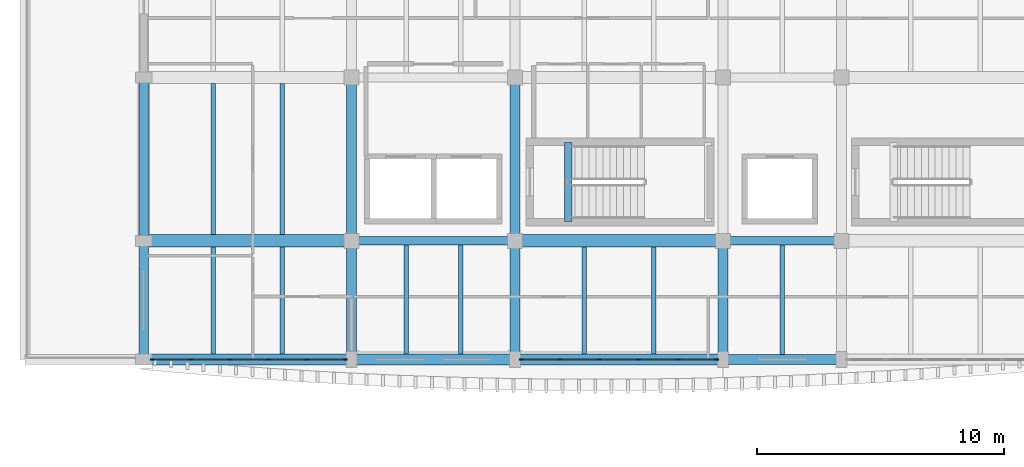
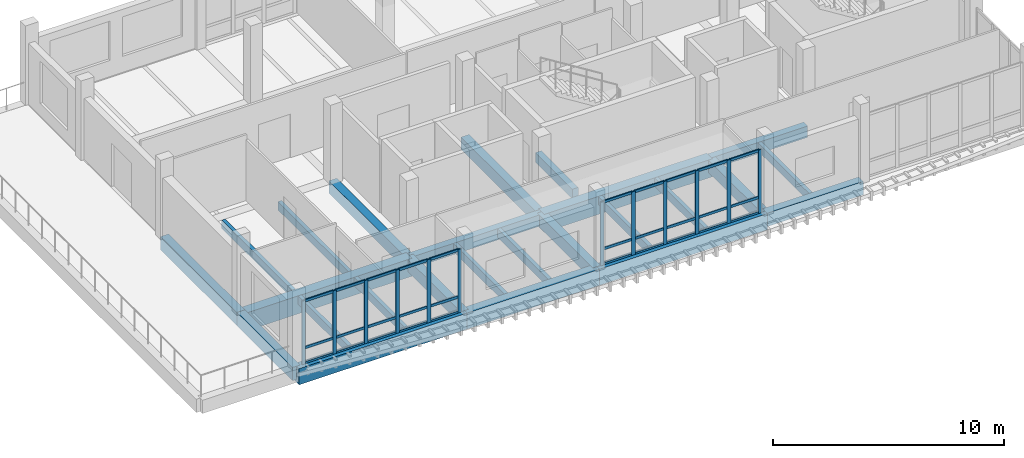
# One storey, part 2 of 20: 42 members, 25 beams, 2 elements without a shape of their own.
"""IFC4 building model written with IfcOpenShell, lengths in metres."""

from ifc_helpers import new_model, si_unit, direction, frame, origin, origin_2d, place, context, subcontext, project, spatial, rectangle, extrude, material, material_profile, profile_set, type_object, element, aggregate, save


model = new_model("IFC4")

# Units and contexts
model_context = context("Model", 3, precision=1e-05, world=origin(), true_north=direction((0.0, 1.0)))
body_context = subcontext(model_context, "Body", "Model", "MODEL_VIEW")
ifc_project = project(units=[si_unit("LENGTHUNIT", "METRE"), si_unit("AREAUNIT", "SQUARE_METRE"), si_unit("VOLUMEUNIT", "CUBIC_METRE"), si_unit("PLANEANGLEUNIT", "RADIAN"), si_unit("MASSUNIT", "GRAM", prefix="KILO")], contexts=[model_context])

# Site, building, storey
site_placement = place(None, origin())
site = spatial("IfcSite", under=ifc_project, at=site_placement, CompositionType="ELEMENT")
building_placement = place(site_placement, origin())
building = spatial("IfcBuilding", under=site, at=building_placement, Name="Dornvale Research Institute", CompositionType="ELEMENT")
storey_placement = place(building_placement, frame((0.0, 0.0, 34.199951171875)))
storey = spatial("IfcBuildingStorey", under=building, at=storey_placement, Name="L07", CompositionType="ELEMENT", Elevation=34.199951171875)

# Beams
ifc_material_1 = material(Name="Concrete f'c 45 MPa (C35/45)", Category="concrete")
ifc_material_profile_1 = material_profile(ifc_material_1, rectangle(XDim=0.300048828125, YDim=0.5, at=origin_2d()), Name="RC 300x500")
ifc_profile_set_1 = profile_set([ifc_material_profile_1], Name="Concrete f'c 45 MPa (C35/45)")
beam_type_1 = type_object("IfcBeamType", Name="Beam_RC300x500_Trim", PredefinedType="BEAM", material=ifc_profile_set_1)
beam_1_placement = place(storey_placement, frame((21.949951171875, 104.580078125, -0.25), z_axis=(0.0, 1.0, 0.0), x_axis=(-1.0, 0.0, 0.0)))
element("IfcBeam", 1, at=beam_1_placement, inside=storey, type_object=beam_type_1, Name="L07 ST-1 stair landing trimmer beam #8", PredefinedType="BEAM", context=body_context, shape_type="SweptSolid", body=[
    extrude(rectangle(XDim=0.300048828125, YDim=0.5, at=origin_2d()), origin(), (0.0, 0.0, 1.0), 3.199951171875),
])
ifc_material_2 = material(Name="Concrete f'c 45 MPa (C35/45)", Category="concrete")
ifc_material_profile_2 = material_profile(ifc_material_2, rectangle(XDim=0.35009765625, YDim=0.60009765625, at=origin_2d()), Name="RC 350x600")
ifc_profile_set_2 = profile_set([ifc_material_profile_2], Name="Concrete f'c 45 MPa (C35/45)")
beam_type_2 = type_object("IfcBeamType", Name="Beam_RC350x600_Floor", PredefinedType="BEAM", material=ifc_profile_set_2)
beam_2_placement = place(storey_placement, frame((13.199951171875, 103.800048828125, -0.300048828125), z_axis=(1.0, 0.0, 0.0), x_axis=(0.0, 1.0, 0.0)))
element("IfcBeam", 2, at=beam_2_placement, inside=storey, type_object=beam_type_2, Name="L07 primary girder #1560", PredefinedType="BEAM", context=body_context, shape_type="SweptSolid", body=[
    extrude(rectangle(XDim=0.35009765625, YDim=0.60009765625, at=origin_2d()), origin(), (0.0, 0.0, 1.0), 6.60009765625),
])
beam_3_placement = place(storey_placement, frame((28.199951171875, 103.800048828125, -0.300048828125), z_axis=(1.0, 0.0, 0.0), x_axis=(0.0, 1.0, 0.0)))
element("IfcBeam", 3, at=beam_3_placement, inside=storey, type_object=beam_type_2, Name="L07 primary girder #1562", PredefinedType="BEAM", context=body_context, shape_type="SweptSolid", body=[
    extrude(rectangle(XDim=0.35009765625, YDim=0.60009765625, at=origin_2d()), origin(), (0.0, 0.0, 1.0), 4.800048828125),
])
ifc_material_3 = material(Name="Concrete f'c 45 MPa (C35/45)", Category="concrete")
ifc_material_profile_3 = material_profile(ifc_material_3, rectangle(XDim=0.39990234375, YDim=0.64990234375, at=origin_2d()), Name="RC 400x650")
ifc_profile_set_3 = profile_set([ifc_material_profile_3], Name="Concrete f'c 45 MPa (C35/45)")
beam_type_3 = type_object("IfcBeamType", Name="Beam_RC400x650_Floor", PredefinedType="BEAM", material=ifc_profile_set_3)
beam_4_placement = place(storey_placement, frame((13.199951171875, 99.0, -0.324951171875), z_axis=(0.0, 1.0, 0.0), x_axis=(-1.0, 0.0, 0.0)))
element("IfcBeam", 4, at=beam_4_placement, inside=storey, type_object=beam_type_3, Name="L07 transverse girder #1583", PredefinedType="BEAM", context=body_context, shape_type="SweptSolid", body=[
    extrude(rectangle(XDim=0.39990234375, YDim=0.64990234375, at=origin_2d()), origin(), (0.0, 0.0, 1.0), 4.800048828125),
])
beam_5_placement = place(storey_placement, frame((13.199951171875, 103.800048828125, -0.324951171875), z_axis=(0.0, 1.0, 0.0), x_axis=(-1.0, 0.0, 0.0)))
element("IfcBeam", 5, at=beam_5_placement, inside=storey, type_object=beam_type_3, Name="L07 transverse girder #1584", PredefinedType="BEAM", context=body_context, shape_type="SweptSolid", body=[
    extrude(rectangle(XDim=0.39990234375, YDim=0.64990234375, at=origin_2d()), origin(), (0.0, 0.0, 1.0), 6.599853515625),
])
beam_6_placement = place(storey_placement, frame((19.800048828125, 99.0, -0.324951171875), z_axis=(0.0, 1.0, 0.0), x_axis=(-1.0, 0.0, 0.0)))
element("IfcBeam", 6, at=beam_6_placement, inside=storey, type_object=beam_type_3, Name="L07 transverse girder #1587", PredefinedType="BEAM", context=body_context, shape_type="SweptSolid", body=[
    extrude(rectangle(XDim=0.39990234375, YDim=0.64990234375, at=origin_2d()), origin(), (0.0, 0.0, 1.0), 4.800048828125),
])
beam_7_placement = place(storey_placement, frame((19.800048828125, 103.800048828125, -0.324951171875), z_axis=(0.0, 1.0, 0.0), x_axis=(-1.0, 0.0, 0.0)))
element("IfcBeam", 7, at=beam_7_placement, inside=storey, type_object=beam_type_3, Name="L07 transverse girder #1588", PredefinedType="BEAM", context=body_context, shape_type="SweptSolid", body=[
    extrude(rectangle(XDim=0.39990234375, YDim=0.64990234375, at=origin_2d()), origin(), (0.0, 0.0, 1.0), 6.599853515625),
])
beam_8_placement = place(storey_placement, frame((28.199951171875, 99.0, -0.324951171875), z_axis=(0.0, 1.0, 0.0), x_axis=(-1.0, 0.0, 0.0)))
element("IfcBeam", 8, at=beam_8_placement, inside=storey, type_object=beam_type_3, Name="L07 transverse girder #1591", PredefinedType="BEAM", context=body_context, shape_type="SweptSolid", body=[
    extrude(rectangle(XDim=0.39990234375, YDim=0.64990234375, at=origin_2d()), origin(), (0.0, 0.0, 1.0), 4.800048828125),
])
ifc_material_4 = material(Name="Concrete f'c 45 MPa (C35/45)", Category="concrete")
ifc_material_profile_4 = material_profile(ifc_material_4, rectangle(XDim=0.5, YDim=0.949951171875, at=origin_2d()), Name="RC 500x950")
ifc_profile_set_4 = profile_set([ifc_material_profile_4], Name="Concrete f'c 45 MPa (C35/45)")
beam_type_4 = type_object("IfcBeamType", Name="Beam_RC500x950_Girder", PredefinedType="BEAM", material=ifc_profile_set_4)
for number, where, z_axis, x_axis, name in (
    (9, (4.800048828125, 103.800048828125, -0.474853515625), (1.0, 0.0, 0.0), (0.0, 1.0, 0.0), "L07 primary girder #1559"),
    (10, (19.800048828125, 103.800048828125, -0.474853515625), (1.0, 0.0, 0.0), (0.0, 1.0, 0.0), "L07 primary girder #1561"),
):
    element("IfcBeam", number, at=place(storey_placement, frame(where, z_axis=z_axis, x_axis=x_axis)), inside=storey, type_object=beam_type_4, Name=name, PredefinedType="BEAM", context=body_context, shape_type="SweptSolid", body=[
        extrude(rectangle(XDim=0.5, YDim=0.949951171875, at=origin_2d()), origin(), (0.0, 0.0, 1.0), 8.39990234375),
    ])
ifc_material_5 = material(Name="Concrete f'c 45 MPa (C35/45)", Category="concrete")
ifc_material_profile_5 = material_profile(ifc_material_5, rectangle(XDim=0.179931640625, YDim=0.43505859375, at=origin_2d()), Name="RC 180x435")
ifc_profile_set_5 = profile_set([ifc_material_profile_5], Name="Concrete f'c 45 MPa (C35/45)")
beam_type_5 = type_object("IfcBeamType", Name="Joist_RC180x435_Rib", PredefinedType="JOIST", material=ifc_profile_set_5)
for number, where, z_axis, x_axis, name in (
    (11, (7.60009765625, 99.22509765625, -0.217529296875), (0.0, 1.0, 0.0), (-1.0, 0.0, 0.0), "L07 laboratory waffle joist #763"),
    (12, (10.39990234375, 99.22509765625, -0.217529296875), (0.0, 1.0, 0.0), (-1.0, 0.0, 0.0), "L07 laboratory waffle joist #764"),
):
    element("IfcBeam", number, at=place(storey_placement, frame(where, z_axis=z_axis, x_axis=x_axis)), inside=storey, type_object=beam_type_5, Name=name, PredefinedType="JOIST", context=body_context, shape_type="SweptSolid", body=[
        extrude(rectangle(XDim=0.179931640625, YDim=0.43505859375, at=origin_2d()), origin(), (0.0, 0.0, 1.0), 4.324951171875),
    ])
for number, where, z_axis, x_axis, name in (
    (13, (7.60009765625, 104.050048828125, -0.217529296875), (0.0, 1.0, 0.0), (-1.0, 0.0, 0.0), "L07 laboratory waffle joist #765"),
    (14, (10.39990234375, 104.050048828125, -0.217529296875), (0.0, 1.0, 0.0), (-1.0, 0.0, 0.0), "L07 laboratory waffle joist #766"),
):
    element("IfcBeam", number, at=place(storey_placement, frame(where, z_axis=z_axis, x_axis=x_axis)), inside=storey, type_object=beam_type_5, Name=name, PredefinedType="JOIST", context=body_context, shape_type="SweptSolid", body=[
        extrude(rectangle(XDim=0.179931640625, YDim=0.43505859375, at=origin_2d()), origin(), (0.0, 0.0, 1.0), 6.099853515625),
    ])
for number, where, z_axis, x_axis, name in (
    (15, (15.39990234375, 99.22509765625, -0.217529296875), (0.0, 1.0, 0.0), (-1.0, 0.0, 0.0), "L07 laboratory waffle joist #771"),
    (16, (17.60009765625, 99.22509765625, -0.217529296875), (0.0, 1.0, 0.0), (-1.0, 0.0, 0.0), "L07 laboratory waffle joist #772"),
):
    element("IfcBeam", number, at=place(storey_placement, frame(where, z_axis=z_axis, x_axis=x_axis)), inside=storey, type_object=beam_type_5, Name=name, PredefinedType="JOIST", context=body_context, shape_type="SweptSolid", body=[
        extrude(rectangle(XDim=0.179931640625, YDim=0.43505859375, at=origin_2d()), origin(), (0.0, 0.0, 1.0), 4.39990234375),
    ])
for number, where, z_axis, x_axis, name in (
    (17, (22.60009765625, 99.22509765625, -0.217529296875), (0.0, 1.0, 0.0), (-1.0, 0.0, 0.0), "L07 laboratory waffle joist #777"),
    (18, (25.39990234375, 99.22509765625, -0.217529296875), (0.0, 1.0, 0.0), (-1.0, 0.0, 0.0), "L07 laboratory waffle joist #778"),
):
    element("IfcBeam", number, at=place(storey_placement, frame(where, z_axis=z_axis, x_axis=x_axis)), inside=storey, type_object=beam_type_5, Name=name, PredefinedType="JOIST", context=body_context, shape_type="SweptSolid", body=[
        extrude(rectangle(XDim=0.179931640625, YDim=0.43505859375, at=origin_2d()), origin(), (0.0, 0.0, 1.0), 4.324951171875),
    ])
beam_9_placement = place(storey_placement, frame((30.60009765625, 99.199951171875, -0.217529296875), z_axis=(0.0, 1.0, 0.0), x_axis=(-1.0, 0.0, 0.0)))
element("IfcBeam", 19, at=beam_9_placement, inside=storey, type_object=beam_type_5, Name="L07 laboratory waffle joist #783", PredefinedType="JOIST", context=body_context, shape_type="SweptSolid", body=[
    extrude(rectangle(XDim=0.179931640625, YDim=0.43505859375, at=origin_2d()), origin(), (0.0, 0.0, 1.0), 4.425048828125),
])

# Curtain wall, members
ifc_material_6 = material(Name="Low-E Argon Double Insulating Glazing Unit", Category="glass")
curtain_wall_type_1 = type_object("IfcCurtainWallType", Name="UnitisedCurtainWall_V5_7950x3350", PredefinedType="USERDEFINED", material=ifc_material_6)
curtain_wall_1_placement = place(storey_placement, origin())
curtain_wall_1 = element("IfcCurtainWall", 20, at=curtain_wall_1_placement, inside=storey, type_object=curtain_wall_type_1, Name="L07 V5 unitised curtain wall CW-38 #186", ObjectType="UNITISED CURTAIN WALL", PredefinedType="USERDEFINED")
ifc_material_7 = material(Name="Anodized Aluminum AA 6063-T6 Thermally Broken Frame", Category="aluminium")
ifc_material_profile_6 = material_profile(ifc_material_7, rectangle(XDim=0.06494140625, YDim=0.179931640625, at=origin_2d()), Name="ALU MULLION 65x180")
ifc_profile_set_6 = profile_set([ifc_material_profile_6], Name="Anodized Aluminum AA 6063-T6 Thermally Broken Frame")
member_type_1 = type_object("IfcMemberType", Name="Mullion_CW_65x180", PredefinedType="MULLION", material=ifc_profile_set_6)
member_1_placement = place(storey_placement, frame((27.9423828125, 99.0, 0.0), z_axis=(0.0, 0.0, 1.0), x_axis=(0.0, -1.0, 0.0)))
member_1 = element("IfcMember", 21, at=member_1_placement, type_object=member_type_1, Name="CW-38 mullion 1", PredefinedType="MULLION", context=body_context, shape_type="SweptSolid", body=[
    extrude(rectangle(XDim=0.06494140625, YDim=0.179931640625, at=origin_2d()), origin(), (0.0, 0.0, 1.0), 3.35009765625),
])
member_2_placement = place(storey_placement, frame((26.385009765625, 99.0, 0.0), z_axis=(0.0, 0.0, 1.0), x_axis=(0.0, -1.0, 0.0)))
member_2 = element("IfcMember", 22, at=member_2_placement, type_object=member_type_1, Name="CW-38 mullion 2", PredefinedType="MULLION", context=body_context, shape_type="SweptSolid", body=[
    extrude(rectangle(XDim=0.06494140625, YDim=0.179931640625, at=origin_2d()), origin(), (0.0, 0.0, 1.0), 3.35009765625),
])
member_3_placement = place(storey_placement, frame((24.794921875, 99.0, 0.0), z_axis=(0.0, 0.0, 1.0), x_axis=(0.0, -1.0, 0.0)))
member_3 = element("IfcMember", 23, at=member_3_placement, type_object=member_type_1, Name="CW-38 mullion 3", PredefinedType="MULLION", context=body_context, shape_type="SweptSolid", body=[
    extrude(rectangle(XDim=0.06494140625, YDim=0.179931640625, at=origin_2d()), origin(), (0.0, 0.0, 1.0), 3.35009765625),
])
member_4_placement = place(storey_placement, frame((23.205078125, 99.0, 0.0), z_axis=(0.0, 0.0, 1.0), x_axis=(0.0, -1.0, 0.0)))
member_4 = element("IfcMember", 24, at=member_4_placement, type_object=member_type_1, Name="CW-38 mullion 4", PredefinedType="MULLION", context=body_context, shape_type="SweptSolid", body=[
    extrude(rectangle(XDim=0.06494140625, YDim=0.179931640625, at=origin_2d()), origin(), (0.0, 0.0, 1.0), 3.35009765625),
])
member_5_placement = place(storey_placement, frame((21.614990234375, 99.0, 0.0), z_axis=(0.0, 0.0, 1.0), x_axis=(0.0, -1.0, 0.0)))
member_5 = element("IfcMember", 25, at=member_5_placement, type_object=member_type_1, Name="CW-38 mullion 5", PredefinedType="MULLION", context=body_context, shape_type="SweptSolid", body=[
    extrude(rectangle(XDim=0.06494140625, YDim=0.179931640625, at=origin_2d()), origin(), (0.0, 0.0, 1.0), 3.35009765625),
])
member_6_placement = place(storey_placement, frame((20.0576171875, 99.0, 0.0), z_axis=(0.0, 0.0, 1.0), x_axis=(0.0, -1.0, 0.0)))
member_6 = element("IfcMember", 26, at=member_6_placement, type_object=member_type_1, Name="CW-38 mullion 6", PredefinedType="MULLION", context=body_context, shape_type="SweptSolid", body=[
    extrude(rectangle(XDim=0.06494140625, YDim=0.179931640625, at=origin_2d()), origin(), (0.0, 0.0, 1.0), 3.35009765625),
])

ifc_material_8 = material(Name="Low-E Argon Double Insulating Glazing Unit", Category="glass")
curtain_wall_type_2 = type_object("IfcCurtainWallType", Name="UnitisedCurtainWall_V5_7850x3350", PredefinedType="USERDEFINED", material=ifc_material_8)
curtain_wall_2_placement = place(storey_placement, origin())
curtain_wall_2 = element("IfcCurtainWall", 27, at=curtain_wall_2_placement, inside=storey, type_object=curtain_wall_type_2, Name="L07 V5 unitised curtain wall CW-37 #187", ObjectType="UNITISED CURTAIN WALL", PredefinedType="USERDEFINED")
member_7_placement = place(storey_placement, frame((12.9423828125, 99.0, 0.0), z_axis=(0.0, 0.0, 1.0), x_axis=(0.0, -1.0, 0.0)))
member_7 = element("IfcMember", 28, at=member_7_placement, type_object=member_type_1, Name="CW-37 mullion 1", PredefinedType="MULLION", context=body_context, shape_type="SweptSolid", body=[
    extrude(rectangle(XDim=0.06494140625, YDim=0.179931640625, at=origin_2d()), origin(), (0.0, 0.0, 1.0), 3.35009765625),
])
member_8_placement = place(storey_placement, frame((11.405029296875, 99.0, 0.0), z_axis=(0.0, 0.0, 1.0), x_axis=(0.0, -1.0, 0.0)))
member_8 = element("IfcMember", 29, at=member_8_placement, type_object=member_type_1, Name="CW-37 mullion 2", PredefinedType="MULLION", context=body_context, shape_type="SweptSolid", body=[
    extrude(rectangle(XDim=0.06494140625, YDim=0.179931640625, at=origin_2d()), origin(), (0.0, 0.0, 1.0), 3.35009765625),
])
member_9_placement = place(storey_placement, frame((9.8349609375, 99.0, 0.0), z_axis=(0.0, 0.0, 1.0), x_axis=(0.0, -1.0, 0.0)))
member_9 = element("IfcMember", 30, at=member_9_placement, type_object=member_type_1, Name="CW-37 mullion 3", PredefinedType="MULLION", context=body_context, shape_type="SweptSolid", body=[
    extrude(rectangle(XDim=0.06494140625, YDim=0.179931640625, at=origin_2d()), origin(), (0.0, 0.0, 1.0), 3.35009765625),
])
member_10_placement = place(storey_placement, frame((8.264892578125, 99.0, 0.0), z_axis=(0.0, 0.0, 1.0), x_axis=(0.0, -1.0, 0.0)))
member_10 = element("IfcMember", 31, at=member_10_placement, type_object=member_type_1, Name="CW-37 mullion 4", PredefinedType="MULLION", context=body_context, shape_type="SweptSolid", body=[
    extrude(rectangle(XDim=0.06494140625, YDim=0.179931640625, at=origin_2d()), origin(), (0.0, 0.0, 1.0), 3.35009765625),
])
member_11_placement = place(storey_placement, frame((6.695068359375, 99.0, 0.0), z_axis=(0.0, 0.0, 1.0), x_axis=(0.0, -1.0, 0.0)))
member_11 = element("IfcMember", 32, at=member_11_placement, type_object=member_type_1, Name="CW-37 mullion 5", PredefinedType="MULLION", context=body_context, shape_type="SweptSolid", body=[
    extrude(rectangle(XDim=0.06494140625, YDim=0.179931640625, at=origin_2d()), origin(), (0.0, 0.0, 1.0), 3.35009765625),
])
member_12_placement = place(storey_placement, frame((5.157470703125, 99.0, 0.0), z_axis=(0.0, 0.0, 1.0), x_axis=(0.0, -1.0, 0.0)))
member_12 = element("IfcMember", 33, at=member_12_placement, type_object=member_type_1, Name="CW-37 mullion 6", PredefinedType="MULLION", context=body_context, shape_type="SweptSolid", body=[
    extrude(rectangle(XDim=0.06494140625, YDim=0.179931640625, at=origin_2d()), origin(), (0.0, 0.0, 1.0), 3.35009765625),
])

# Beams
ifc_material_9 = material(Name="Concrete f'c 45 MPa (C35/45)", Category="concrete")
ifc_material_profile_7 = material_profile(ifc_material_9, rectangle(XDim=0.39990234375, YDim=0.699951171875, at=origin_2d()), Name="RC 400x700")
ifc_profile_set_7 = profile_set([ifc_material_profile_7], Name="Concrete f'c 45 MPa (C35/45)")
beam_type_6 = type_object("IfcBeamType", Name="Spandrel_RC400x700_Ext", PredefinedType="SPANDREL", material=ifc_profile_set_7)
for number, where, z_axis, x_axis, name in (
    (34, (28.199951171875, 99.0, -0.349853515625), (1.0, 0.0, 0.0), (0.0, 1.0, 0.0), "L07 perimeter spandrel #1557"),
    (35, (4.800048828125, 99.0, -0.349853515625), (0.0, 1.0, 0.0), (-1.0, 0.0, 0.0), "L07 perimeter spandrel #1579"),
):
    element("IfcBeam", number, at=place(storey_placement, frame(where, z_axis=z_axis, x_axis=x_axis)), inside=storey, type_object=beam_type_6, Name=name, PredefinedType="SPANDREL", context=body_context, shape_type="SweptSolid", body=[
        extrude(rectangle(XDim=0.39990234375, YDim=0.699951171875, at=origin_2d()), origin(), (0.0, 0.0, 1.0), 4.800048828125),
    ])
beam_10_placement = place(storey_placement, frame((4.800048828125, 103.800048828125, -0.349853515625), z_axis=(0.0, 1.0, 0.0), x_axis=(-1.0, 0.0, 0.0)))
element("IfcBeam", 36, at=beam_10_placement, inside=storey, type_object=beam_type_6, Name="L07 perimeter spandrel #1580", PredefinedType="SPANDREL", context=body_context, shape_type="SweptSolid", body=[
    extrude(rectangle(XDim=0.39990234375, YDim=0.699951171875, at=origin_2d()), origin(), (0.0, 0.0, 1.0), 6.599853515625),
])
ifc_material_10 = material(Name="Concrete f'c 45 MPa (C35/45)", Category="concrete")
ifc_material_profile_8 = material_profile(ifc_material_10, rectangle(XDim=0.449951171875, YDim=0.85009765625, at=origin_2d()), Name="RC 450x850")
ifc_profile_set_8 = profile_set([ifc_material_profile_8], Name="Concrete f'c 45 MPa (C35/45)")
beam_type_7 = type_object("IfcBeamType", Name="Spandrel_RC450x850_Ext", PredefinedType="SPANDREL", material=ifc_profile_set_8)
beam_11_placement = place(storey_placement, frame((4.800048828125, 99.0, -0.425048828125), z_axis=(1.0, 0.0, 0.0), x_axis=(0.0, 1.0, 0.0)))
element("IfcBeam", 37, at=beam_11_placement, inside=storey, type_object=beam_type_7, Name="L07 perimeter spandrel #1554", PredefinedType="SPANDREL", context=body_context, shape_type="SweptSolid", body=[
    extrude(rectangle(XDim=0.449951171875, YDim=0.85009765625, at=origin_2d()), origin(), (0.0, 0.0, 1.0), 8.39990234375),
])
beam_12_placement = place(storey_placement, frame((13.199951171875, 99.0, -0.425048828125), z_axis=(1.0, 0.0, 0.0), x_axis=(0.0, 1.0, 0.0)))
element("IfcBeam", 38, at=beam_12_placement, inside=storey, type_object=beam_type_7, Name="L07 perimeter spandrel #1555", PredefinedType="SPANDREL", context=body_context, shape_type="SweptSolid", body=[
    extrude(rectangle(XDim=0.449951171875, YDim=0.85009765625, at=origin_2d()), origin(), (0.0, 0.0, 1.0), 6.60009765625),
])
beam_13_placement = place(storey_placement, frame((19.800048828125, 99.0, -0.425048828125), z_axis=(1.0, 0.0, 0.0), x_axis=(0.0, 1.0, 0.0)))
element("IfcBeam", 39, at=beam_13_placement, inside=storey, type_object=beam_type_7, Name="L07 perimeter spandrel #1556", PredefinedType="SPANDREL", context=body_context, shape_type="SweptSolid", body=[
    extrude(rectangle(XDim=0.449951171875, YDim=0.85009765625, at=origin_2d()), origin(), (0.0, 0.0, 1.0), 8.39990234375),
])

# Member
ifc_material_11 = material(Name="Anodized Aluminum AA 6063-T6 Thermally Broken Frame", Category="aluminium")
ifc_material_profile_9 = material_profile(ifc_material_11, rectangle(XDim=0.06494140625, YDim=0.135009765625, at=origin_2d()), Name="ALU TRANSOM 65x135")
ifc_profile_set_9 = profile_set([ifc_material_profile_9], Name="Anodized Aluminum AA 6063-T6 Thermally Broken Frame")
member_type_2 = type_object("IfcMemberType", Name="Transom_CW_65x135", PredefinedType="USERDEFINED", material=ifc_profile_set_9)
member_13_placement = place(storey_placement, frame((27.909912109375, 99.0, 0.032470703125), z_axis=(-1.0, 0.0, 0.0), x_axis=(0.0, -1.0, 0.0)))
member_13 = element("IfcMember", 40, at=member_13_placement, type_object=member_type_2, Name="CW-38 transom 1.1", ObjectType="TRANSOM", PredefinedType="USERDEFINED", context=body_context, shape_type="SweptSolid", body=[
    extrude(rectangle(XDim=0.06494140625, YDim=0.135009765625, at=origin_2d()), origin(), (0.0, 0.0, 1.0), 1.492431640625),
])

member_14_placement = place(storey_placement, frame((27.909912109375, 99.0, 0.85009765625), z_axis=(-1.0, 0.0, 0.0), x_axis=(0.0, -1.0, 0.0)))
member_14 = element("IfcMember", 41, at=member_14_placement, type_object=member_type_2, Name="CW-38 transom 1.2", ObjectType="TRANSOM", PredefinedType="USERDEFINED", context=body_context, shape_type="SweptSolid", body=[
    extrude(rectangle(XDim=0.06494140625, YDim=0.135009765625, at=origin_2d()), origin(), (0.0, 0.0, 1.0), 1.492431640625),
])

member_15_placement = place(storey_placement, frame((27.909912109375, 99.0, 3.317626953125), z_axis=(-1.0, 0.0, 0.0), x_axis=(0.0, -1.0, 0.0)))
member_15 = element("IfcMember", 42, at=member_15_placement, type_object=member_type_2, Name="CW-38 transom 1.3", ObjectType="TRANSOM", PredefinedType="USERDEFINED", context=body_context, shape_type="SweptSolid", body=[
    extrude(rectangle(XDim=0.06494140625, YDim=0.135009765625, at=origin_2d()), origin(), (0.0, 0.0, 1.0), 1.492431640625),
])

member_16_placement = place(storey_placement, frame((26.3525390625, 99.0, 0.032470703125), z_axis=(-1.0, 0.0, 0.0), x_axis=(0.0, -1.0, 0.0)))
member_16 = element("IfcMember", 43, at=member_16_placement, type_object=member_type_2, Name="CW-38 transom 2.1", ObjectType="TRANSOM", PredefinedType="USERDEFINED", context=body_context, shape_type="SweptSolid", body=[
    extrude(rectangle(XDim=0.06494140625, YDim=0.135009765625, at=origin_2d()), origin(), (0.0, 0.0, 1.0), 1.525146484375),
])

member_17_placement = place(storey_placement, frame((26.3525390625, 99.0, 0.85009765625), z_axis=(-1.0, 0.0, 0.0), x_axis=(0.0, -1.0, 0.0)))
member_17 = element("IfcMember", 44, at=member_17_placement, type_object=member_type_2, Name="CW-38 transom 2.2", ObjectType="TRANSOM", PredefinedType="USERDEFINED", context=body_context, shape_type="SweptSolid", body=[
    extrude(rectangle(XDim=0.06494140625, YDim=0.135009765625, at=origin_2d()), origin(), (0.0, 0.0, 1.0), 1.525146484375),
])

member_18_placement = place(storey_placement, frame((26.3525390625, 99.0, 3.317626953125), z_axis=(-1.0, 0.0, 0.0), x_axis=(0.0, -1.0, 0.0)))
member_18 = element("IfcMember", 45, at=member_18_placement, type_object=member_type_2, Name="CW-38 transom 2.3", ObjectType="TRANSOM", PredefinedType="USERDEFINED", context=body_context, shape_type="SweptSolid", body=[
    extrude(rectangle(XDim=0.06494140625, YDim=0.135009765625, at=origin_2d()), origin(), (0.0, 0.0, 1.0), 1.525146484375),
])

member_19_placement = place(storey_placement, frame((24.762451171875, 99.0, 0.032470703125), z_axis=(-1.0, 0.0, 0.0), x_axis=(0.0, -1.0, 0.0)))
member_19 = element("IfcMember", 46, at=member_19_placement, type_object=member_type_2, Name="CW-38 transom 3.1", ObjectType="TRANSOM", PredefinedType="USERDEFINED", context=body_context, shape_type="SweptSolid", body=[
    extrude(rectangle(XDim=0.06494140625, YDim=0.135009765625, at=origin_2d()), origin(), (0.0, 0.0, 1.0), 1.52490234375),
])

member_20_placement = place(storey_placement, frame((24.762451171875, 99.0, 0.85009765625), z_axis=(-1.0, 0.0, 0.0), x_axis=(0.0, -1.0, 0.0)))
member_20 = element("IfcMember", 47, at=member_20_placement, type_object=member_type_2, Name="CW-38 transom 3.2", ObjectType="TRANSOM", PredefinedType="USERDEFINED", context=body_context, shape_type="SweptSolid", body=[
    extrude(rectangle(XDim=0.06494140625, YDim=0.135009765625, at=origin_2d()), origin(), (0.0, 0.0, 1.0), 1.52490234375),
])

member_21_placement = place(storey_placement, frame((24.762451171875, 99.0, 3.317626953125), z_axis=(-1.0, 0.0, 0.0), x_axis=(0.0, -1.0, 0.0)))
member_21 = element("IfcMember", 48, at=member_21_placement, type_object=member_type_2, Name="CW-38 transom 3.3", ObjectType="TRANSOM", PredefinedType="USERDEFINED", context=body_context, shape_type="SweptSolid", body=[
    extrude(rectangle(XDim=0.06494140625, YDim=0.135009765625, at=origin_2d()), origin(), (0.0, 0.0, 1.0), 1.52490234375),
])

member_22_placement = place(storey_placement, frame((23.172607421875, 99.0, 0.032470703125), z_axis=(-1.0, 0.0, 0.0), x_axis=(0.0, -1.0, 0.0)))
member_22 = element("IfcMember", 49, at=member_22_placement, type_object=member_type_2, Name="CW-38 transom 4.1", ObjectType="TRANSOM", PredefinedType="USERDEFINED", context=body_context, shape_type="SweptSolid", body=[
    extrude(rectangle(XDim=0.06494140625, YDim=0.135009765625, at=origin_2d()), origin(), (0.0, 0.0, 1.0), 1.525146484375),
])

member_23_placement = place(storey_placement, frame((23.172607421875, 99.0, 0.85009765625), z_axis=(-1.0, 0.0, 0.0), x_axis=(0.0, -1.0, 0.0)))
member_23 = element("IfcMember", 50, at=member_23_placement, type_object=member_type_2, Name="CW-38 transom 4.2", ObjectType="TRANSOM", PredefinedType="USERDEFINED", context=body_context, shape_type="SweptSolid", body=[
    extrude(rectangle(XDim=0.06494140625, YDim=0.135009765625, at=origin_2d()), origin(), (0.0, 0.0, 1.0), 1.525146484375),
])

member_24_placement = place(storey_placement, frame((23.172607421875, 99.0, 3.317626953125), z_axis=(-1.0, 0.0, 0.0), x_axis=(0.0, -1.0, 0.0)))
member_24 = element("IfcMember", 51, at=member_24_placement, type_object=member_type_2, Name="CW-38 transom 4.3", ObjectType="TRANSOM", PredefinedType="USERDEFINED", context=body_context, shape_type="SweptSolid", body=[
    extrude(rectangle(XDim=0.06494140625, YDim=0.135009765625, at=origin_2d()), origin(), (0.0, 0.0, 1.0), 1.525146484375),
])

member_25_placement = place(storey_placement, frame((21.58251953125, 99.0, 0.032470703125), z_axis=(-1.0, 0.0, 0.0), x_axis=(0.0, -1.0, 0.0)))
member_25 = element("IfcMember", 52, at=member_25_placement, type_object=member_type_2, Name="CW-38 transom 5.1", ObjectType="TRANSOM", PredefinedType="USERDEFINED", context=body_context, shape_type="SweptSolid", body=[
    extrude(rectangle(XDim=0.06494140625, YDim=0.135009765625, at=origin_2d()), origin(), (0.0, 0.0, 1.0), 1.492431640625),
])

member_26_placement = place(storey_placement, frame((21.58251953125, 99.0, 0.85009765625), z_axis=(-1.0, 0.0, 0.0), x_axis=(0.0, -1.0, 0.0)))
member_26 = element("IfcMember", 53, at=member_26_placement, type_object=member_type_2, Name="CW-38 transom 5.2", ObjectType="TRANSOM", PredefinedType="USERDEFINED", context=body_context, shape_type="SweptSolid", body=[
    extrude(rectangle(XDim=0.06494140625, YDim=0.135009765625, at=origin_2d()), origin(), (0.0, 0.0, 1.0), 1.492431640625),
])

member_27_placement = place(storey_placement, frame((21.58251953125, 99.0, 3.317626953125), z_axis=(-1.0, 0.0, 0.0), x_axis=(0.0, -1.0, 0.0)))
member_27 = element("IfcMember", 54, at=member_27_placement, type_object=member_type_2, Name="CW-38 transom 5.3", ObjectType="TRANSOM", PredefinedType="USERDEFINED", context=body_context, shape_type="SweptSolid", body=[
    extrude(rectangle(XDim=0.06494140625, YDim=0.135009765625, at=origin_2d()), origin(), (0.0, 0.0, 1.0), 1.492431640625),
])

aggregate(curtain_wall_1, [member_1, member_2, member_3, member_4, member_5, member_6, member_13, member_14, member_15, member_16, member_17, member_18, member_19, member_20, member_21, member_22, member_23, member_24, member_25, member_26, member_27])

member_28_placement = place(storey_placement, frame((12.909912109375, 99.0, 0.032470703125), z_axis=(-1.0, 0.0, 0.0), x_axis=(0.0, -1.0, 0.0)))
member_28 = element("IfcMember", 55, at=member_28_placement, type_object=member_type_2, Name="CW-37 transom 1.1", ObjectType="TRANSOM", PredefinedType="USERDEFINED", context=body_context, shape_type="SweptSolid", body=[
    extrude(rectangle(XDim=0.06494140625, YDim=0.135009765625, at=origin_2d()), origin(), (0.0, 0.0, 1.0), 1.472412109375),
])

member_29_placement = place(storey_placement, frame((12.909912109375, 99.0, 0.85009765625), z_axis=(-1.0, 0.0, 0.0), x_axis=(0.0, -1.0, 0.0)))
member_29 = element("IfcMember", 56, at=member_29_placement, type_object=member_type_2, Name="CW-37 transom 1.2", ObjectType="TRANSOM", PredefinedType="USERDEFINED", context=body_context, shape_type="SweptSolid", body=[
    extrude(rectangle(XDim=0.06494140625, YDim=0.135009765625, at=origin_2d()), origin(), (0.0, 0.0, 1.0), 1.472412109375),
])

member_30_placement = place(storey_placement, frame((12.909912109375, 99.0, 3.317626953125), z_axis=(-1.0, 0.0, 0.0), x_axis=(0.0, -1.0, 0.0)))
member_30 = element("IfcMember", 57, at=member_30_placement, type_object=member_type_2, Name="CW-37 transom 1.3", ObjectType="TRANSOM", PredefinedType="USERDEFINED", context=body_context, shape_type="SweptSolid", body=[
    extrude(rectangle(XDim=0.06494140625, YDim=0.135009765625, at=origin_2d()), origin(), (0.0, 0.0, 1.0), 1.472412109375),
])

member_31_placement = place(storey_placement, frame((11.37255859375, 99.0, 0.032470703125), z_axis=(-1.0, 0.0, 0.0), x_axis=(0.0, -1.0, 0.0)))
member_31 = element("IfcMember", 58, at=member_31_placement, type_object=member_type_2, Name="CW-37 transom 2.1", ObjectType="TRANSOM", PredefinedType="USERDEFINED", context=body_context, shape_type="SweptSolid", body=[
    extrude(rectangle(XDim=0.06494140625, YDim=0.135009765625, at=origin_2d()), origin(), (0.0, 0.0, 1.0), 1.505126953125),
])

member_32_placement = place(storey_placement, frame((11.37255859375, 99.0, 0.85009765625), z_axis=(-1.0, 0.0, 0.0), x_axis=(0.0, -1.0, 0.0)))
member_32 = element("IfcMember", 59, at=member_32_placement, type_object=member_type_2, Name="CW-37 transom 2.2", ObjectType="TRANSOM", PredefinedType="USERDEFINED", context=body_context, shape_type="SweptSolid", body=[
    extrude(rectangle(XDim=0.06494140625, YDim=0.135009765625, at=origin_2d()), origin(), (0.0, 0.0, 1.0), 1.505126953125),
])

member_33_placement = place(storey_placement, frame((11.37255859375, 99.0, 3.317626953125), z_axis=(-1.0, 0.0, 0.0), x_axis=(0.0, -1.0, 0.0)))
member_33 = element("IfcMember", 60, at=member_33_placement, type_object=member_type_2, Name="CW-37 transom 2.3", ObjectType="TRANSOM", PredefinedType="USERDEFINED", context=body_context, shape_type="SweptSolid", body=[
    extrude(rectangle(XDim=0.06494140625, YDim=0.135009765625, at=origin_2d()), origin(), (0.0, 0.0, 1.0), 1.505126953125),
])

member_34_placement = place(storey_placement, frame((9.802490234375, 99.0, 0.032470703125), z_axis=(-1.0, 0.0, 0.0), x_axis=(0.0, -1.0, 0.0)))
member_34 = element("IfcMember", 61, at=member_34_placement, type_object=member_type_2, Name="CW-37 transom 3.1", ObjectType="TRANSOM", PredefinedType="USERDEFINED", context=body_context, shape_type="SweptSolid", body=[
    extrude(rectangle(XDim=0.06494140625, YDim=0.135009765625, at=origin_2d()), origin(), (0.0, 0.0, 1.0), 1.5048828125),
])

member_35_placement = place(storey_placement, frame((9.802490234375, 99.0, 0.85009765625), z_axis=(-1.0, 0.0, 0.0), x_axis=(0.0, -1.0, 0.0)))
member_35 = element("IfcMember", 62, at=member_35_placement, type_object=member_type_2, Name="CW-37 transom 3.2", ObjectType="TRANSOM", PredefinedType="USERDEFINED", context=body_context, shape_type="SweptSolid", body=[
    extrude(rectangle(XDim=0.06494140625, YDim=0.135009765625, at=origin_2d()), origin(), (0.0, 0.0, 1.0), 1.5048828125),
])

member_36_placement = place(storey_placement, frame((9.802490234375, 99.0, 3.317626953125), z_axis=(-1.0, 0.0, 0.0), x_axis=(0.0, -1.0, 0.0)))
member_36 = element("IfcMember", 63, at=member_36_placement, type_object=member_type_2, Name="CW-37 transom 3.3", ObjectType="TRANSOM", PredefinedType="USERDEFINED", context=body_context, shape_type="SweptSolid", body=[
    extrude(rectangle(XDim=0.06494140625, YDim=0.135009765625, at=origin_2d()), origin(), (0.0, 0.0, 1.0), 1.5048828125),
])

member_37_placement = place(storey_placement, frame((8.232421875, 99.0, 0.032470703125), z_axis=(-1.0, 0.0, 0.0), x_axis=(0.0, -1.0, 0.0)))
member_37 = element("IfcMember", 64, at=member_37_placement, type_object=member_type_2, Name="CW-37 transom 4.1", ObjectType="TRANSOM", PredefinedType="USERDEFINED", context=body_context, shape_type="SweptSolid", body=[
    extrude(rectangle(XDim=0.06494140625, YDim=0.135009765625, at=origin_2d()), origin(), (0.0, 0.0, 1.0), 1.5048828125),
])

member_38_placement = place(storey_placement, frame((8.232421875, 99.0, 0.85009765625), z_axis=(-1.0, 0.0, 0.0), x_axis=(0.0, -1.0, 0.0)))
member_38 = element("IfcMember", 65, at=member_38_placement, type_object=member_type_2, Name="CW-37 transom 4.2", ObjectType="TRANSOM", PredefinedType="USERDEFINED", context=body_context, shape_type="SweptSolid", body=[
    extrude(rectangle(XDim=0.06494140625, YDim=0.135009765625, at=origin_2d()), origin(), (0.0, 0.0, 1.0), 1.5048828125),
])

member_39_placement = place(storey_placement, frame((8.232421875, 99.0, 3.317626953125), z_axis=(-1.0, 0.0, 0.0), x_axis=(0.0, -1.0, 0.0)))
member_39 = element("IfcMember", 66, at=member_39_placement, type_object=member_type_2, Name="CW-37 transom 4.3", ObjectType="TRANSOM", PredefinedType="USERDEFINED", context=body_context, shape_type="SweptSolid", body=[
    extrude(rectangle(XDim=0.06494140625, YDim=0.135009765625, at=origin_2d()), origin(), (0.0, 0.0, 1.0), 1.5048828125),
])

member_40_placement = place(storey_placement, frame((6.66259765625, 99.0, 0.032470703125), z_axis=(-1.0, 0.0, 0.0), x_axis=(0.0, -1.0, 0.0)))
member_40 = element("IfcMember", 67, at=member_40_placement, type_object=member_type_2, Name="CW-37 transom 5.1", ObjectType="TRANSOM", PredefinedType="USERDEFINED", context=body_context, shape_type="SweptSolid", body=[
    extrude(rectangle(XDim=0.06494140625, YDim=0.135009765625, at=origin_2d()), origin(), (0.0, 0.0, 1.0), 1.47265625),
])

member_41_placement = place(storey_placement, frame((6.66259765625, 99.0, 0.85009765625), z_axis=(-1.0, 0.0, 0.0), x_axis=(0.0, -1.0, 0.0)))
member_41 = element("IfcMember", 68, at=member_41_placement, type_object=member_type_2, Name="CW-37 transom 5.2", ObjectType="TRANSOM", PredefinedType="USERDEFINED", context=body_context, shape_type="SweptSolid", body=[
    extrude(rectangle(XDim=0.06494140625, YDim=0.135009765625, at=origin_2d()), origin(), (0.0, 0.0, 1.0), 1.47265625),
])

member_42_placement = place(storey_placement, frame((6.66259765625, 99.0, 3.317626953125), z_axis=(-1.0, 0.0, 0.0), x_axis=(0.0, -1.0, 0.0)))
member_42 = element("IfcMember", 69, at=member_42_placement, type_object=member_type_2, Name="CW-37 transom 5.3", ObjectType="TRANSOM", PredefinedType="USERDEFINED", context=body_context, shape_type="SweptSolid", body=[
    extrude(rectangle(XDim=0.06494140625, YDim=0.135009765625, at=origin_2d()), origin(), (0.0, 0.0, 1.0), 1.47265625),
])

aggregate(curtain_wall_2, [member_7, member_8, member_9, member_10, member_11, member_12, member_28, member_29, member_30, member_31, member_32, member_33, member_34, member_35, member_36, member_37, member_38, member_39, member_40, member_41, member_42])

save(model, "model.ifc")
